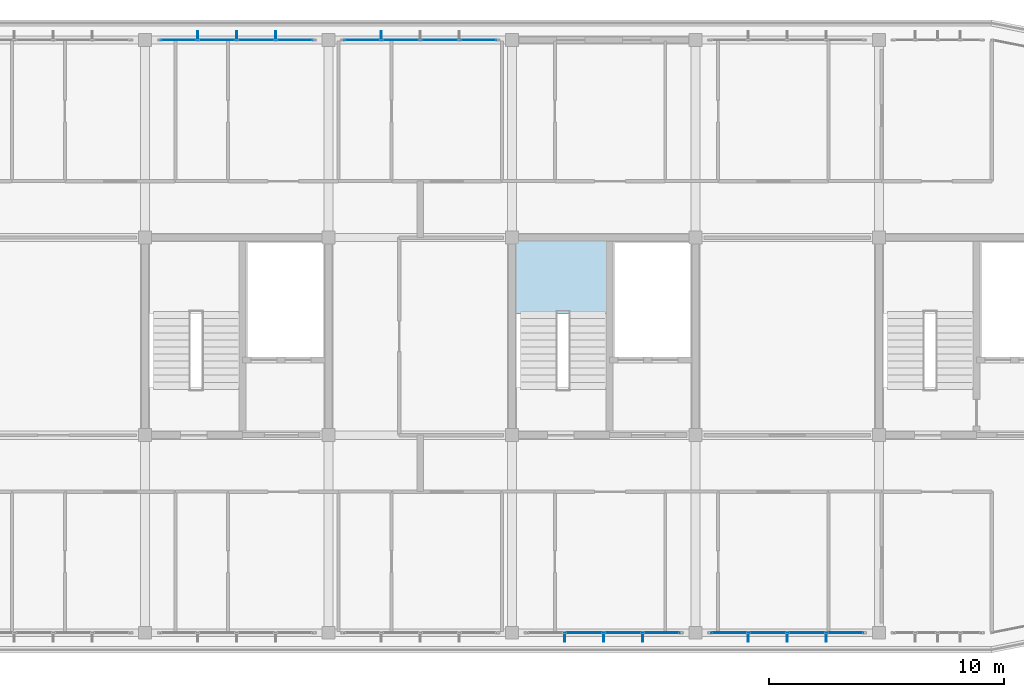
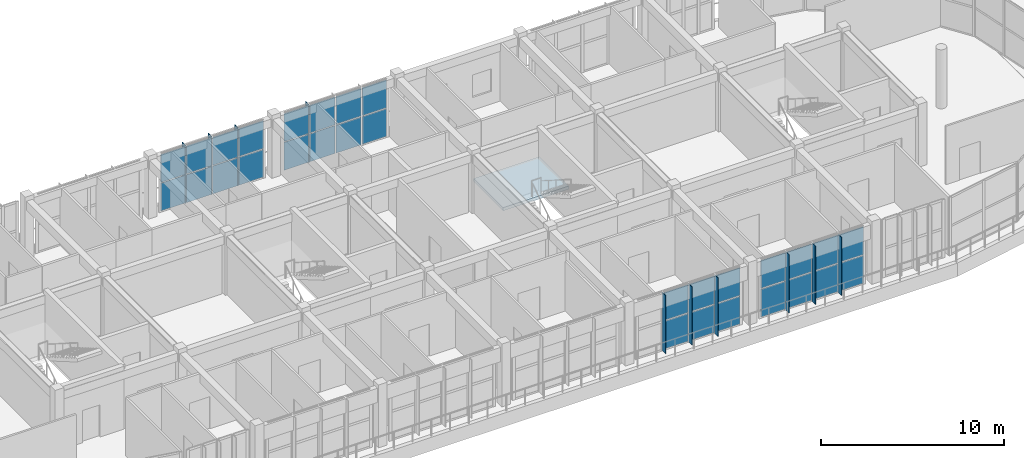
# One storey, part 34 of 44: 40 plates, 1 slab, 5 elements without a shape of their own.
"""IFC4 building model written with IfcOpenShell, lengths in metres."""

from ifc_helpers import new_model, si_unit, direction, frame, origin, origin_2d, place, context, subcontext, project, spatial, polyline, rectangle, outline, extrude, material, layer, layer_set, type_object, element, aggregate, save


model = new_model("IFC4")

# Units and contexts
model_context = context("Model", 3, precision=1e-05, world=origin(), true_north=direction((0.0, 1.0)))
body_context = subcontext(model_context, "Body", "Model", "MODEL_VIEW")
ifc_project = project(units=[si_unit("LENGTHUNIT", "METRE"), si_unit("AREAUNIT", "SQUARE_METRE"), si_unit("VOLUMEUNIT", "CUBIC_METRE"), si_unit("PLANEANGLEUNIT", "RADIAN"), si_unit("MASSUNIT", "GRAM", prefix="KILO")], contexts=[model_context])

# Site, building, storey
site_placement = place(None, origin())
site = spatial("IfcSite", under=ifc_project, at=site_placement, CompositionType="ELEMENT")
building_placement = place(site_placement, origin())
building = spatial("IfcBuilding", under=site, at=building_placement, Name="Zizhar Promenade General Hospital", CompositionType="ELEMENT")
storey_placement = place(building_placement, frame((0.0, 0.0, 34.800048828125)))
storey = spatial("IfcBuildingStorey", under=building, at=storey_placement, Name="L08", CompositionType="ELEMENT", Elevation=34.800048828125)

# Curtain wall, plates
ifc_material_1 = material(Name="Anodised aluminium 6063-T6 and low-E glass", Category="aluminium")
ifc_layer_1 = layer(ifc_material_1, 0.159912109375)
ifc_layer_set_1 = layer_set([ifc_layer_1], Name="Anodised aluminium 6063-T6 and low-E glass")
curtain_wall_type = type_object("IfcCurtainWallType", Name="CW-WARD-RIB", PredefinedType="NOTDEFINED", material=ifc_layer_set_1)
curtain_wall_1_placement = place(storey_placement, origin())
curtain_wall_1 = element("IfcCurtainWall", 1, at=curtain_wall_1_placement, inside=storey, type_object=curtain_wall_type, Name="Ward Ribbon Curtain Wall L08-8-2", PredefinedType="NOTDEFINED")
ifc_material_2 = material(Name="Low-E solar-control glass", Category="glass")
ifc_layer_2 = layer(ifc_material_2, 0.031982421875)
ifc_layer_set_2 = layer_set([ifc_layer_2], Name="Low-E solar-control glass")
plate_type_1 = type_object("IfcPlateType", Name="CWP-GLZ-32", PredefinedType="CURTAIN_PANEL", material=ifc_layer_set_2)
plate_1_placement = place(storey_placement, frame((63.830078125, 25.199951171875, 0.06005859375), z_axis=(0.0, 0.0, 1.0), x_axis=(1.0, 0.0, 0.0)))
plate_1 = element("IfcPlate", 2, at=plate_1_placement, type_object=plate_type_1, Name="CW-13 panel 1.1", PredefinedType="CURTAIN_PANEL", context=body_context, shape_type="SweptSolid", body=[
    extrude(rectangle(XDim=1.5400390625, YDim=0.031982421875, at=origin_2d()), origin(), (0.0, 0.0, 1.0), 1.860107421875),
])
plate_2_placement = place(storey_placement, frame((63.830078125, 25.199951171875, 1.97998046875), z_axis=(0.0, 0.0, 1.0), x_axis=(1.0, 0.0, 0.0)))
plate_2 = element("IfcPlate", 3, at=plate_2_placement, type_object=plate_type_1, Name="CW-13 panel 1.2", PredefinedType="CURTAIN_PANEL", context=body_context, shape_type="SweptSolid", body=[
    extrude(rectangle(XDim=1.5400390625, YDim=0.031982421875, at=origin_2d()), origin(), (0.0, 0.0, 1.0), 1.860107421875),
])
plate_3_placement = place(storey_placement, frame((65.469970703125, 25.199951171875, 0.06005859375), z_axis=(0.0, 0.0, 1.0), x_axis=(1.0, 0.0, 0.0)))
plate_3 = element("IfcPlate", 4, at=plate_3_placement, type_object=plate_type_1, Name="CW-13 panel 2.1", PredefinedType="CURTAIN_PANEL", context=body_context, shape_type="SweptSolid", body=[
    extrude(rectangle(XDim=1.580078125, YDim=0.031982421875, at=origin_2d()), origin(), (0.0, 0.0, 1.0), 1.860107421875),
])
plate_4_placement = place(storey_placement, frame((65.469970703125, 25.199951171875, 1.97998046875), z_axis=(0.0, 0.0, 1.0), x_axis=(1.0, 0.0, 0.0)))
plate_4 = element("IfcPlate", 5, at=plate_4_placement, type_object=plate_type_1, Name="CW-13 panel 2.2", PredefinedType="CURTAIN_PANEL", context=body_context, shape_type="SweptSolid", body=[
    extrude(rectangle(XDim=1.580078125, YDim=0.031982421875, at=origin_2d()), origin(), (0.0, 0.0, 1.0), 1.860107421875),
])
plate_5_placement = place(storey_placement, frame((67.1298828125, 25.199951171875, 0.06005859375), z_axis=(0.0, 0.0, 1.0), x_axis=(1.0, 0.0, 0.0)))
plate_5 = element("IfcPlate", 6, at=plate_5_placement, type_object=plate_type_1, Name="CW-13 panel 3.1", PredefinedType="CURTAIN_PANEL", context=body_context, shape_type="SweptSolid", body=[
    extrude(rectangle(XDim=1.580078125, YDim=0.031982421875, at=origin_2d()), origin(), (0.0, 0.0, 1.0), 1.860107421875),
])
plate_6_placement = place(storey_placement, frame((67.1298828125, 25.199951171875, 1.97998046875), z_axis=(0.0, 0.0, 1.0), x_axis=(1.0, 0.0, 0.0)))
plate_6 = element("IfcPlate", 7, at=plate_6_placement, type_object=plate_type_1, Name="CW-13 panel 3.2", PredefinedType="CURTAIN_PANEL", context=body_context, shape_type="SweptSolid", body=[
    extrude(rectangle(XDim=1.580078125, YDim=0.031982421875, at=origin_2d()), origin(), (0.0, 0.0, 1.0), 1.860107421875),
])
plate_7_placement = place(storey_placement, frame((68.77001953125, 25.199951171875, 0.06005859375), z_axis=(0.0, 0.0, 1.0), x_axis=(1.0, 0.0, 0.0)))
plate_7 = element("IfcPlate", 8, at=plate_7_placement, type_object=plate_type_1, Name="CW-13 panel 4.1", PredefinedType="CURTAIN_PANEL", context=body_context, shape_type="SweptSolid", body=[
    extrude(rectangle(XDim=1.5400390625, YDim=0.031982421875, at=origin_2d()), origin(), (0.0, 0.0, 1.0), 1.860107421875),
])
plate_8_placement = place(storey_placement, frame((68.77001953125, 25.199951171875, 1.97998046875), z_axis=(0.0, 0.0, 1.0), x_axis=(1.0, 0.0, 0.0)))
plate_8 = element("IfcPlate", 9, at=plate_8_placement, type_object=plate_type_1, Name="CW-13 panel 4.2", PredefinedType="CURTAIN_PANEL", context=body_context, shape_type="SweptSolid", body=[
    extrude(rectangle(XDim=1.5400390625, YDim=0.031982421875, at=origin_2d()), origin(), (0.0, 0.0, 1.0), 1.860107421875),
])
aggregate(curtain_wall_1, [plate_1, plate_2, plate_3, plate_4, plate_5, plate_6, plate_7, plate_8])

curtain_wall_2_placement = place(storey_placement, origin())
curtain_wall_2 = element("IfcCurtainWall", 10, at=curtain_wall_2_placement, inside=storey, type_object=curtain_wall_type, Name="Ward Ribbon Curtain Wall L08-8-3", PredefinedType="NOTDEFINED")
plate_9_placement = place(storey_placement, frame((71.6298828125, 25.199951171875, 0.06005859375), z_axis=(0.0, 0.0, 1.0), x_axis=(1.0, 0.0, 0.0)))
plate_9 = element("IfcPlate", 11, at=plate_9_placement, type_object=plate_type_1, Name="CW-13 panel 1.1", PredefinedType="CURTAIN_PANEL", context=body_context, shape_type="SweptSolid", body=[
    extrude(rectangle(XDim=1.5400390625, YDim=0.031982421875, at=origin_2d()), origin(), (0.0, 0.0, 1.0), 1.860107421875),
])
plate_10_placement = place(storey_placement, frame((71.6298828125, 25.199951171875, 1.97998046875), z_axis=(0.0, 0.0, 1.0), x_axis=(1.0, 0.0, 0.0)))
plate_10 = element("IfcPlate", 12, at=plate_10_placement, type_object=plate_type_1, Name="CW-13 panel 1.2", PredefinedType="CURTAIN_PANEL", context=body_context, shape_type="SweptSolid", body=[
    extrude(rectangle(XDim=1.5400390625, YDim=0.031982421875, at=origin_2d()), origin(), (0.0, 0.0, 1.0), 1.860107421875),
])
plate_11_placement = place(storey_placement, frame((73.27001953125, 25.199951171875, 0.06005859375), z_axis=(0.0, 0.0, 1.0), x_axis=(1.0, 0.0, 0.0)))
plate_11 = element("IfcPlate", 13, at=plate_11_placement, type_object=plate_type_1, Name="CW-13 panel 2.1", PredefinedType="CURTAIN_PANEL", context=body_context, shape_type="SweptSolid", body=[
    extrude(rectangle(XDim=1.580078125, YDim=0.031982421875, at=origin_2d()), origin(), (0.0, 0.0, 1.0), 1.860107421875),
])
plate_12_placement = place(storey_placement, frame((73.27001953125, 25.199951171875, 1.97998046875), z_axis=(0.0, 0.0, 1.0), x_axis=(1.0, 0.0, 0.0)))
plate_12 = element("IfcPlate", 14, at=plate_12_placement, type_object=plate_type_1, Name="CW-13 panel 2.2", PredefinedType="CURTAIN_PANEL", context=body_context, shape_type="SweptSolid", body=[
    extrude(rectangle(XDim=1.580078125, YDim=0.031982421875, at=origin_2d()), origin(), (0.0, 0.0, 1.0), 1.860107421875),
])
plate_13_placement = place(storey_placement, frame((74.929931640625, 25.199951171875, 0.06005859375), z_axis=(0.0, 0.0, 1.0), x_axis=(1.0, 0.0, 0.0)))
plate_13 = element("IfcPlate", 15, at=plate_13_placement, type_object=plate_type_1, Name="CW-13 panel 3.1", PredefinedType="CURTAIN_PANEL", context=body_context, shape_type="SweptSolid", body=[
    extrude(rectangle(XDim=1.580078125, YDim=0.031982421875, at=origin_2d()), origin(), (0.0, 0.0, 1.0), 1.860107421875),
])
plate_14_placement = place(storey_placement, frame((74.929931640625, 25.199951171875, 1.97998046875), z_axis=(0.0, 0.0, 1.0), x_axis=(1.0, 0.0, 0.0)))
plate_14 = element("IfcPlate", 16, at=plate_14_placement, type_object=plate_type_1, Name="CW-13 panel 3.2", PredefinedType="CURTAIN_PANEL", context=body_context, shape_type="SweptSolid", body=[
    extrude(rectangle(XDim=1.580078125, YDim=0.031982421875, at=origin_2d()), origin(), (0.0, 0.0, 1.0), 1.860107421875),
])
plate_15_placement = place(storey_placement, frame((76.570068359375, 25.199951171875, 0.06005859375), z_axis=(0.0, 0.0, 1.0), x_axis=(1.0, 0.0, 0.0)))
plate_15 = element("IfcPlate", 17, at=plate_15_placement, type_object=plate_type_1, Name="CW-13 panel 4.1", PredefinedType="CURTAIN_PANEL", context=body_context, shape_type="SweptSolid", body=[
    extrude(rectangle(XDim=1.5400390625, YDim=0.031982421875, at=origin_2d()), origin(), (0.0, 0.0, 1.0), 1.860107421875),
])
plate_16_placement = place(storey_placement, frame((76.570068359375, 25.199951171875, 1.97998046875), z_axis=(0.0, 0.0, 1.0), x_axis=(1.0, 0.0, 0.0)))
plate_16 = element("IfcPlate", 18, at=plate_16_placement, type_object=plate_type_1, Name="CW-13 panel 4.2", PredefinedType="CURTAIN_PANEL", context=body_context, shape_type="SweptSolid", body=[
    extrude(rectangle(XDim=1.5400390625, YDim=0.031982421875, at=origin_2d()), origin(), (0.0, 0.0, 1.0), 1.860107421875),
])
aggregate(curtain_wall_2, [plate_9, plate_10, plate_11, plate_12, plate_13, plate_14, plate_15, plate_16])

curtain_wall_3_placement = place(storey_placement, origin())
curtain_wall_3 = element("IfcCurtainWall", 19, at=curtain_wall_3_placement, inside=storey, type_object=curtain_wall_type, Name="Ward Ribbon Curtain Wall L08-17-1", PredefinedType="NOTDEFINED")
plate_17_placement = place(storey_placement, frame((92.169921875, 0.0, 0.06005859375), z_axis=(0.0, 0.0, 1.0), x_axis=(-1.0, 0.0, 0.0)))
plate_17 = element("IfcPlate", 20, at=plate_17_placement, type_object=plate_type_1, Name="CW-13 panel 1.1", PredefinedType="CURTAIN_PANEL", context=body_context, shape_type="SweptSolid", body=[
    extrude(rectangle(XDim=1.5400390625, YDim=0.031982421875, at=origin_2d()), origin(), (0.0, 0.0, 1.0), 1.860107421875),
])
plate_18_placement = place(storey_placement, frame((92.169921875, 0.0, 1.97998046875), z_axis=(0.0, 0.0, 1.0), x_axis=(-1.0, 0.0, 0.0)))
plate_18 = element("IfcPlate", 21, at=plate_18_placement, type_object=plate_type_1, Name="CW-13 panel 1.2", PredefinedType="CURTAIN_PANEL", context=body_context, shape_type="SweptSolid", body=[
    extrude(rectangle(XDim=1.5400390625, YDim=0.031982421875, at=origin_2d()), origin(), (0.0, 0.0, 1.0), 1.860107421875),
])
plate_19_placement = place(storey_placement, frame((90.530029296875, 0.0, 0.06005859375), z_axis=(0.0, 0.0, 1.0), x_axis=(-1.0, 0.0, 0.0)))
plate_19 = element("IfcPlate", 22, at=plate_19_placement, type_object=plate_type_1, Name="CW-13 panel 2.1", PredefinedType="CURTAIN_PANEL", context=body_context, shape_type="SweptSolid", body=[
    extrude(rectangle(XDim=1.580078125, YDim=0.031982421875, at=origin_2d()), origin(), (0.0, 0.0, 1.0), 1.860107421875),
])
plate_20_placement = place(storey_placement, frame((90.530029296875, 0.0, 1.97998046875), z_axis=(0.0, 0.0, 1.0), x_axis=(-1.0, 0.0, 0.0)))
plate_20 = element("IfcPlate", 23, at=plate_20_placement, type_object=plate_type_1, Name="CW-13 panel 2.2", PredefinedType="CURTAIN_PANEL", context=body_context, shape_type="SweptSolid", body=[
    extrude(rectangle(XDim=1.580078125, YDim=0.031982421875, at=origin_2d()), origin(), (0.0, 0.0, 1.0), 1.860107421875),
])
plate_21_placement = place(storey_placement, frame((88.8701171875, 0.0, 0.06005859375), z_axis=(0.0, 0.0, 1.0), x_axis=(-1.0, 0.0, 0.0)))
plate_21 = element("IfcPlate", 24, at=plate_21_placement, type_object=plate_type_1, Name="CW-13 panel 3.1", PredefinedType="CURTAIN_PANEL", context=body_context, shape_type="SweptSolid", body=[
    extrude(rectangle(XDim=1.580078125, YDim=0.031982421875, at=origin_2d()), origin(), (0.0, 0.0, 1.0), 1.860107421875),
])
plate_22_placement = place(storey_placement, frame((88.8701171875, 0.0, 1.97998046875), z_axis=(0.0, 0.0, 1.0), x_axis=(-1.0, 0.0, 0.0)))
plate_22 = element("IfcPlate", 25, at=plate_22_placement, type_object=plate_type_1, Name="CW-13 panel 3.2", PredefinedType="CURTAIN_PANEL", context=body_context, shape_type="SweptSolid", body=[
    extrude(rectangle(XDim=1.580078125, YDim=0.031982421875, at=origin_2d()), origin(), (0.0, 0.0, 1.0), 1.860107421875),
])
plate_23_placement = place(storey_placement, frame((87.22998046875, 0.0, 0.06005859375), z_axis=(0.0, 0.0, 1.0), x_axis=(-1.0, 0.0, 0.0)))
plate_23 = element("IfcPlate", 26, at=plate_23_placement, type_object=plate_type_1, Name="CW-13 panel 4.1", PredefinedType="CURTAIN_PANEL", context=body_context, shape_type="SweptSolid", body=[
    extrude(rectangle(XDim=1.5400390625, YDim=0.031982421875, at=origin_2d()), origin(), (0.0, 0.0, 1.0), 1.860107421875),
])
plate_24_placement = place(storey_placement, frame((87.22998046875, 0.0, 1.97998046875), z_axis=(0.0, 0.0, 1.0), x_axis=(-1.0, 0.0, 0.0)))
plate_24 = element("IfcPlate", 27, at=plate_24_placement, type_object=plate_type_1, Name="CW-13 panel 4.2", PredefinedType="CURTAIN_PANEL", context=body_context, shape_type="SweptSolid", body=[
    extrude(rectangle(XDim=1.5400390625, YDim=0.031982421875, at=origin_2d()), origin(), (0.0, 0.0, 1.0), 1.860107421875),
])
aggregate(curtain_wall_3, [plate_17, plate_18, plate_19, plate_20, plate_21, plate_22, plate_23, plate_24])

curtain_wall_4_placement = place(storey_placement, origin())
curtain_wall_4 = element("IfcCurtainWall", 28, at=curtain_wall_4_placement, inside=storey, type_object=curtain_wall_type, Name="Ward Ribbon Curtain Wall L08-17-2", PredefinedType="NOTDEFINED")
plate_25_placement = place(storey_placement, frame((84.3701171875, 0.0, 0.06005859375), z_axis=(0.0, 0.0, 1.0), x_axis=(-1.0, 0.0, 0.0)))
plate_25 = element("IfcPlate", 29, at=plate_25_placement, type_object=plate_type_1, Name="CW-13 panel 1.1", PredefinedType="CURTAIN_PANEL", context=body_context, shape_type="SweptSolid", body=[
    extrude(rectangle(XDim=1.5400390625, YDim=0.031982421875, at=origin_2d()), origin(), (0.0, 0.0, 1.0), 1.860107421875),
])
plate_26_placement = place(storey_placement, frame((84.3701171875, 0.0, 1.97998046875), z_axis=(0.0, 0.0, 1.0), x_axis=(-1.0, 0.0, 0.0)))
plate_26 = element("IfcPlate", 30, at=plate_26_placement, type_object=plate_type_1, Name="CW-13 panel 1.2", PredefinedType="CURTAIN_PANEL", context=body_context, shape_type="SweptSolid", body=[
    extrude(rectangle(XDim=1.5400390625, YDim=0.031982421875, at=origin_2d()), origin(), (0.0, 0.0, 1.0), 1.860107421875),
])
plate_27_placement = place(storey_placement, frame((82.72998046875, 0.0, 0.06005859375), z_axis=(0.0, 0.0, 1.0), x_axis=(-1.0, 0.0, 0.0)))
plate_27 = element("IfcPlate", 31, at=plate_27_placement, type_object=plate_type_1, Name="CW-13 panel 2.1", PredefinedType="CURTAIN_PANEL", context=body_context, shape_type="SweptSolid", body=[
    extrude(rectangle(XDim=1.580078125, YDim=0.031982421875, at=origin_2d()), origin(), (0.0, 0.0, 1.0), 1.860107421875),
])
plate_28_placement = place(storey_placement, frame((82.72998046875, 0.0, 1.97998046875), z_axis=(0.0, 0.0, 1.0), x_axis=(-1.0, 0.0, 0.0)))
plate_28 = element("IfcPlate", 32, at=plate_28_placement, type_object=plate_type_1, Name="CW-13 panel 2.2", PredefinedType="CURTAIN_PANEL", context=body_context, shape_type="SweptSolid", body=[
    extrude(rectangle(XDim=1.580078125, YDim=0.031982421875, at=origin_2d()), origin(), (0.0, 0.0, 1.0), 1.860107421875),
])
plate_29_placement = place(storey_placement, frame((81.070068359375, 0.0, 0.06005859375), z_axis=(0.0, 0.0, 1.0), x_axis=(-1.0, 0.0, 0.0)))
plate_29 = element("IfcPlate", 33, at=plate_29_placement, type_object=plate_type_1, Name="CW-13 panel 3.1", PredefinedType="CURTAIN_PANEL", context=body_context, shape_type="SweptSolid", body=[
    extrude(rectangle(XDim=1.580078125, YDim=0.031982421875, at=origin_2d()), origin(), (0.0, 0.0, 1.0), 1.860107421875),
])
plate_30_placement = place(storey_placement, frame((81.070068359375, 0.0, 1.97998046875), z_axis=(0.0, 0.0, 1.0), x_axis=(-1.0, 0.0, 0.0)))
plate_30 = element("IfcPlate", 34, at=plate_30_placement, type_object=plate_type_1, Name="CW-13 panel 3.2", PredefinedType="CURTAIN_PANEL", context=body_context, shape_type="SweptSolid", body=[
    extrude(rectangle(XDim=1.580078125, YDim=0.031982421875, at=origin_2d()), origin(), (0.0, 0.0, 1.0), 1.860107421875),
])
aggregate(curtain_wall_4, [plate_25, plate_26, plate_27, plate_28, plate_29, plate_30])

# Plates
ifc_material_3 = material(Name="Anodised aluminium 6063-T6", Category="aluminium")
ifc_layer_3 = layer(ifc_material_3, 0.035888671875)
ifc_layer_set_3 = layer_set([ifc_layer_3], Name="Anodised aluminium 6063-T6")
plate_type_2 = type_object("IfcPlateType", Name="FIN-ALU-380", PredefinedType="USERDEFINED", material=ifc_layer_set_3)
plate_31_placement = place(storey_placement, origin())
element("IfcPlate", 35, at=plate_31_placement, inside=storey, type_object=plate_type_2, Name="Ward Ribbon Curtain Wall L08-8-2 Solar Fin 1", ObjectType="SOLAR_SHADE", PredefinedType="USERDEFINED", context=body_context, shape_type="SweptSolid", body=[
    extrude(outline(polyline([(64.6220703125, 25.199951171875), (64.657958984375, 25.199951171875), (64.657958984375, 25.580078125), (64.6220703125, 25.580078125), (64.6220703125, 25.199951171875)])), origin(), (0.0, 0.0, 1.0), 3.89990234375),
])
plate_32_placement = place(storey_placement, origin())
element("IfcPlate", 36, at=plate_32_placement, inside=storey, type_object=plate_type_2, Name="Ward Ribbon Curtain Wall L08-8-2 Solar Fin 2", ObjectType="SOLAR_SHADE", PredefinedType="USERDEFINED", context=body_context, shape_type="SweptSolid", body=[
    extrude(outline(polyline([(66.281982421875, 25.199951171875), (66.318115234375, 25.199951171875), (66.318115234375, 25.580078125), (66.281982421875, 25.580078125), (66.281982421875, 25.199951171875)])), origin(), (0.0, 0.0, 1.0), 3.89990234375),
])
plate_33_placement = place(storey_placement, origin())
element("IfcPlate", 37, at=plate_33_placement, inside=storey, type_object=plate_type_2, Name="Ward Ribbon Curtain Wall L08-8-2 Solar Fin 3", ObjectType="SOLAR_SHADE", PredefinedType="USERDEFINED", context=body_context, shape_type="SweptSolid", body=[
    extrude(outline(polyline([(67.94189453125, 25.199951171875), (67.97802734375, 25.199951171875), (67.97802734375, 25.580078125), (67.94189453125, 25.580078125), (67.94189453125, 25.199951171875)])), origin(), (0.0, 0.0, 1.0), 3.89990234375),
])
plate_34_placement = place(storey_placement, origin())
element("IfcPlate", 38, at=plate_34_placement, inside=storey, type_object=plate_type_2, Name="Ward Ribbon Curtain Wall L08-8-3 Solar Fin 1", ObjectType="SOLAR_SHADE", PredefinedType="USERDEFINED", context=body_context, shape_type="SweptSolid", body=[
    extrude(outline(polyline([(72.422119140625, 25.199951171875), (72.4580078125, 25.199951171875), (72.4580078125, 25.580078125), (72.422119140625, 25.580078125), (72.422119140625, 25.199951171875)])), origin(), (0.0, 0.0, 1.0), 3.89990234375),
])
plate_35_placement = place(storey_placement, origin())
element("IfcPlate", 39, at=plate_35_placement, inside=storey, type_object=plate_type_2, Name="Ward Ribbon Curtain Wall L08-17-1 Solar Fin 1", ObjectType="SOLAR_SHADE", PredefinedType="USERDEFINED", context=body_context, shape_type="SweptSolid", body=[
    extrude(outline(polyline([(91.3779296875, 0.0), (91.342041015625, 0.0), (91.342041015625, -0.3798828125), (91.3779296875, -0.3798828125), (91.3779296875, 0.0)])), origin(), (0.0, 0.0, 1.0), 3.89990234375),
])
plate_36_placement = place(storey_placement, origin())
element("IfcPlate", 40, at=plate_36_placement, inside=storey, type_object=plate_type_2, Name="Ward Ribbon Curtain Wall L08-17-1 Solar Fin 2", ObjectType="SOLAR_SHADE", PredefinedType="USERDEFINED", context=body_context, shape_type="SweptSolid", body=[
    extrude(outline(polyline([(89.718017578125, 0.0), (89.681884765625, 0.0), (89.681884765625, -0.3798828125), (89.718017578125, -0.3798828125), (89.718017578125, 0.0)])), origin(), (0.0, 0.0, 1.0), 3.89990234375),
])
plate_37_placement = place(storey_placement, origin())
element("IfcPlate", 41, at=plate_37_placement, inside=storey, type_object=plate_type_2, Name="Ward Ribbon Curtain Wall L08-17-1 Solar Fin 3", ObjectType="SOLAR_SHADE", PredefinedType="USERDEFINED", context=body_context, shape_type="SweptSolid", body=[
    extrude(outline(polyline([(88.05810546875, 0.0), (88.02197265625, 0.0), (88.02197265625, -0.3798828125), (88.05810546875, -0.3798828125), (88.05810546875, 0.0)])), origin(), (0.0, 0.0, 1.0), 3.89990234375),
])
plate_38_placement = place(storey_placement, origin())
element("IfcPlate", 42, at=plate_38_placement, inside=storey, type_object=plate_type_2, Name="Ward Ribbon Curtain Wall L08-17-2 Solar Fin 1", ObjectType="SOLAR_SHADE", PredefinedType="USERDEFINED", context=body_context, shape_type="SweptSolid", body=[
    extrude(outline(polyline([(83.577880859375, 0.0), (83.5419921875, 0.0), (83.5419921875, -0.3798828125), (83.577880859375, -0.3798828125), (83.577880859375, 0.0)])), origin(), (0.0, 0.0, 1.0), 3.89990234375),
])
plate_39_placement = place(storey_placement, origin())
element("IfcPlate", 43, at=plate_39_placement, inside=storey, type_object=plate_type_2, Name="Ward Ribbon Curtain Wall L08-17-2 Solar Fin 2", ObjectType="SOLAR_SHADE", PredefinedType="USERDEFINED", context=body_context, shape_type="SweptSolid", body=[
    extrude(outline(polyline([(81.91796875, 0.0), (81.882080078125, 0.0), (81.882080078125, -0.3798828125), (81.91796875, -0.3798828125), (81.91796875, 0.0)])), origin(), (0.0, 0.0, 1.0), 3.89990234375),
])
plate_40_placement = place(storey_placement, origin())
element("IfcPlate", 44, at=plate_40_placement, inside=storey, type_object=plate_type_2, Name="Ward Ribbon Curtain Wall L08-17-2 Solar Fin 3", ObjectType="SOLAR_SHADE", PredefinedType="USERDEFINED", context=body_context, shape_type="SweptSolid", body=[
    extrude(outline(polyline([(80.258056640625, 0.0), (80.221923828125, 0.0), (80.221923828125, -0.3798828125), (80.258056640625, -0.3798828125), (80.258056640625, 0.0)])), origin(), (0.0, 0.0, 1.0), 3.89990234375),
])

# Stair, slab
ifc_material_4 = material(Name="Concrete C35/45", Category="concrete")
stair_type = type_object("IfcStairType", Name="STR-DOG-420", PredefinedType="HALF_TURN_STAIR", material=ifc_material_4)
stair_placement = place(storey_placement, origin())
stair = element("IfcStair", 45, at=stair_placement, inside=storey, type_object=stair_type, Name="Exit Stair ST-04 (L08 to L09)", PredefinedType="HALF_TURN_STAIR")
ifc_material_5 = material(Name="Concrete C35/45", Category="concrete")
ifc_layer_4 = layer(ifc_material_5, 0.2099609375)
ifc_layer_set_4 = layer_set([ifc_layer_4], Name="Concrete C35/45")
slab_type = type_object("IfcSlabType", Name="SLB-LAND-420", PredefinedType="LANDING", material=ifc_layer_set_4)
slab_placement = place(storey_placement, frame((0.0, 0.0, 1.889892578125)))
slab = element("IfcSlab", 46, at=slab_placement, type_object=slab_type, Name="ST-04C landing 1", PredefinedType="LANDING", context=body_context, shape_type="SweptSolid", body=[
    extrude(outline(polyline([(78.0, 13.570068359375), (82.14990234375, 13.570068359375), (82.14990234375, 16.800048828125), (78.0, 16.800048828125), (78.0, 13.570068359375)])), origin(), (0.0, 0.0, 1.0), 0.2099609375),
])
aggregate(stair, [slab])

save(model, "model.ifc")
